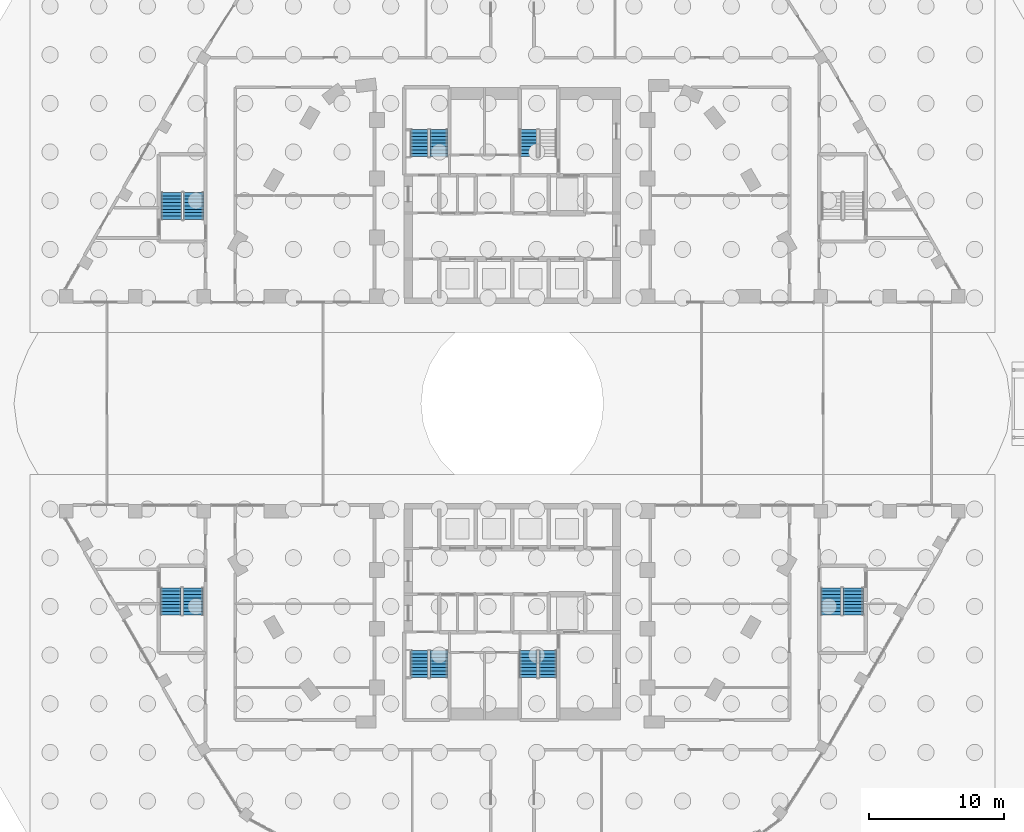
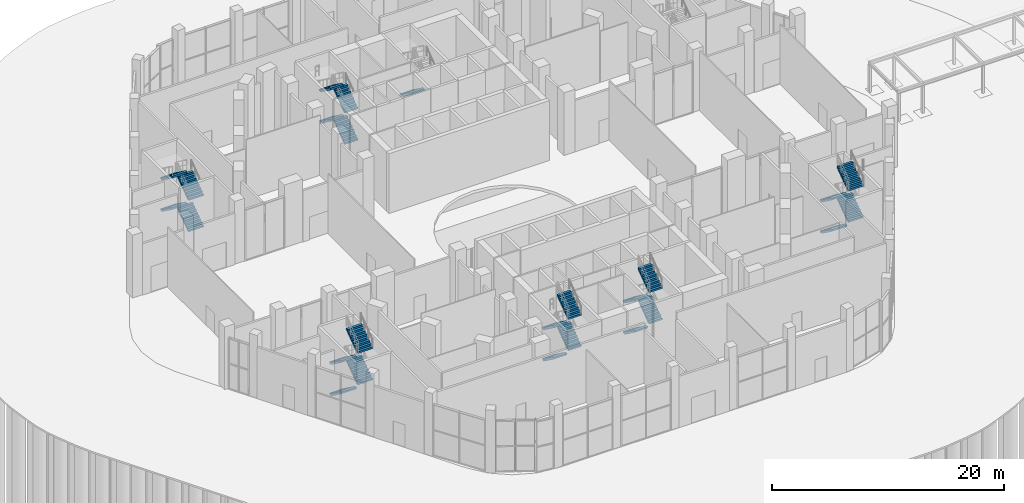
# One storey, part 36 of 44: 25 stair flights, 7 elements without a shape of their own.
"""IFC4 building model written with IfcOpenShell, lengths in metres."""

from ifc_helpers import new_model, si_unit, direction, frame, origin, place, context, subcontext, project, spatial, polyline, outline, extrude, material, type_object, element, aggregate, save


model = new_model("IFC4")

# Units and contexts
model_context = context("Model", 3, precision=1e-05, world=origin(), true_north=direction((0.0, 1.0)))
body_context = subcontext(model_context, "Body", "Model", "MODEL_VIEW")
ifc_project = project(units=[si_unit("LENGTHUNIT", "METRE"), si_unit("AREAUNIT", "SQUARE_METRE"), si_unit("VOLUMEUNIT", "CUBIC_METRE"), si_unit("PLANEANGLEUNIT", "RADIAN"), si_unit("MASSUNIT", "GRAM", prefix="KILO")], contexts=[model_context])

# Site, building, storey
site_placement = place(None, origin())
site = spatial("IfcSite", under=ifc_project, at=site_placement, CompositionType="ELEMENT")
building_placement = place(site_placement, origin())
building = spatial("IfcBuilding", under=site, at=building_placement, Name="Nakaniwa Court", CompositionType="ELEMENT")
storey_placement = place(building_placement, origin())
storey = spatial("IfcBuildingStorey", under=building, at=storey_placement, Name="L00", CompositionType="ELEMENT", Elevation=0.0)

# Stair, stair flights
ifc_material = material(Name="Concrete C80/100", Category="concrete")
stair_type_1 = type_object("IfcStairType", Name="Dog leg stair 1300 wide 36 risers", PredefinedType="HALF_TURN_STAIR", material=ifc_material)
stair_1_placement = place(storey_placement, origin())
stair_1 = element("IfcStair", 1, at=stair_1_placement, inside=storey, type_object=stair_type_1, Name="L00 Stair ST1", PredefinedType="HALF_TURN_STAIR")
stair_flight_type_1 = type_object("IfcStairFlightType", Name="Stair flight 1300 wide 9 risers", PredefinedType="STRAIGHT", material=ifc_material)
stair_flight_1_placement = place(storey_placement, frame((74.574951171875, 98.27490234375, 0.0), z_axis=(0.0, 0.0, 1.0), x_axis=(0.0, 1.0, 0.0)))
stair_flight_1 = element("IfcStairFlight", 2, at=stair_flight_1_placement, type_object=stair_flight_type_1, Name="ST1 flight 1", NumberOfRisers=9, NumberOfTreads=8, PredefinedType="STRAIGHT", RiserHeight=0.183333333, TreadLength=0.25, context=body_context, shape_type="SweptSolid", body=[
    extrude(outline(polyline([(0.0, 0.0), (0.0, 0.026123046875), (0.0, 0.052490234375), (0.0, 0.07861328125), (0.0, 0.104736328125), (0.0, 0.130859375), (0.0, 0.1572265625), (0.0, 0.183349609375), (0.25, 0.183349609375), (0.25, 0.36669921875), (0.5, 0.36669921875), (0.5, 0.550048828125), (0.75, 0.550048828125), (0.75, 0.7333984375), (1.0, 0.7333984375), (1.0, 0.916748046875), (1.25, 0.916748046875), (1.25, 1.10009765625), (1.5, 1.10009765625), (1.5, 1.283447265625), (1.75, 1.283447265625), (1.75, 1.466552734375), (2.0, 1.466552734375), (2.0, 1.64990234375), (2.0, 1.59716796875), (2.0, 1.54443359375), (2.0, 1.49169921875), (2.0, 1.43896484375), (2.0, 1.38623046875), (2.0, 1.33349609375), (2.0, 1.28076171875), (0.25341796875, 0.0), (0.0, 0.0)])), frame((0.0, 0.64990234375, 0.0), z_axis=(0.0, -1.0, 0.0), x_axis=(1.0, 0.0, 0.0)), (0.0, 0.0, 1.0), 1.300048828125),
])
stair_flight_2_placement = place(storey_placement, frame((73.125, 100.27490234375, 1.64990234375), z_axis=(0.0, 0.0, 1.0), x_axis=(0.0, -1.0, 0.0)))
stair_flight_2 = element("IfcStairFlight", 3, at=stair_flight_2_placement, type_object=stair_flight_type_1, Name="ST1 flight 2", NumberOfRisers=9, NumberOfTreads=8, PredefinedType="STRAIGHT", RiserHeight=0.183333333, TreadLength=0.25, context=body_context, shape_type="SweptSolid", body=[
    extrude(outline(polyline([(0.0, 0.0), (0.0, 0.026123046875), (0.0, 0.052490234375), (0.0, 0.07861328125), (0.0, 0.104736328125), (0.0, 0.130859375), (0.0, 0.1572265625), (0.0, 0.183349609375), (0.25, 0.183349609375), (0.25, 0.36669921875), (0.5, 0.36669921875), (0.5, 0.550048828125), (0.75, 0.550048828125), (0.75, 0.7333984375), (1.0, 0.7333984375), (1.0, 0.916748046875), (1.25, 0.916748046875), (1.25, 1.10009765625), (1.5, 1.10009765625), (1.5, 1.283447265625), (1.75, 1.283447265625), (1.75, 1.466552734375), (2.0, 1.466552734375), (2.0, 1.64990234375), (2.0, 1.59716796875), (2.0, 1.54443359375), (2.0, 1.49169921875), (2.0, 1.43896484375), (2.0, 1.38623046875), (2.0, 1.33349609375), (2.0, 1.28076171875), (0.25341796875, 0.0), (0.0, 0.0)])), frame((0.0, 0.64990234375, 0.0), z_axis=(0.0, -1.0, 0.0), x_axis=(1.0, 0.0, 0.0)), (0.0, 0.0, 1.0), 1.300048828125),
])
stair_flight_3_placement = place(storey_placement, frame((74.574951171875, 98.27490234375, 3.300048828125), z_axis=(0.0, 0.0, 1.0), x_axis=(0.0, 1.0, 0.0)))
stair_flight_3 = element("IfcStairFlight", 4, at=stair_flight_3_placement, type_object=stair_flight_type_1, Name="ST1 flight 3", NumberOfRisers=9, NumberOfTreads=8, PredefinedType="STRAIGHT", RiserHeight=0.183333333, TreadLength=0.25, context=body_context, shape_type="SweptSolid", body=[
    extrude(outline(polyline([(0.0, 0.0), (0.0, 0.026123046875), (0.0, 0.052490234375), (0.0, 0.07861328125), (0.0, 0.104736328125), (0.0, 0.130859375), (0.0, 0.1572265625), (0.0, 0.183349609375), (0.25, 0.183349609375), (0.25, 0.36669921875), (0.5, 0.36669921875), (0.5, 0.550048828125), (0.75, 0.550048828125), (0.75, 0.7333984375), (1.0, 0.7333984375), (1.0, 0.916748046875), (1.25, 0.916748046875), (1.25, 1.10009765625), (1.5, 1.10009765625), (1.5, 1.283447265625), (1.75, 1.283447265625), (1.75, 1.466552734375), (2.0, 1.466552734375), (2.0, 1.64990234375), (2.0, 1.59716796875), (2.0, 1.54443359375), (2.0, 1.49169921875), (2.0, 1.43896484375), (2.0, 1.38623046875), (2.0, 1.33349609375), (2.0, 1.28076171875), (0.25341796875, 0.0), (0.0, 0.0)])), frame((0.0, 0.64990234375, 0.0), z_axis=(0.0, -1.0, 0.0), x_axis=(1.0, 0.0, 0.0)), (0.0, 0.0, 1.0), 1.300048828125),
])
stair_flight_4_placement = place(storey_placement, frame((73.125, 100.27490234375, 4.949951171875), z_axis=(0.0, 0.0, 1.0), x_axis=(0.0, -1.0, 0.0)))
stair_flight_4 = element("IfcStairFlight", 5, at=stair_flight_4_placement, type_object=stair_flight_type_1, Name="ST1 flight 4", NumberOfRisers=9, NumberOfTreads=8, PredefinedType="STRAIGHT", RiserHeight=0.183333333, TreadLength=0.25, context=body_context, shape_type="SweptSolid", body=[
    extrude(outline(polyline([(0.0, 0.0), (0.0, 0.026123046875), (0.0, 0.052490234375), (0.0, 0.07861328125), (0.0, 0.104736328125), (0.0, 0.130859375), (0.0, 0.1572265625), (0.0, 0.183349609375), (0.25, 0.183349609375), (0.25, 0.36669921875), (0.5, 0.36669921875), (0.5, 0.550048828125), (0.75, 0.550048828125), (0.75, 0.7333984375), (1.0, 0.7333984375), (1.0, 0.916748046875), (1.25, 0.916748046875), (1.25, 1.10009765625), (1.5, 1.10009765625), (1.5, 1.283447265625), (1.75, 1.283447265625), (1.75, 1.466552734375), (2.0, 1.466552734375), (2.0, 1.64990234375), (2.0, 1.59716796875), (2.0, 1.54443359375), (2.0, 1.49169921875), (2.0, 1.43896484375), (2.0, 1.38623046875), (2.0, 1.33349609375), (2.0, 1.28076171875), (0.25341796875, 0.0), (0.0, 0.0)])), frame((0.0, 0.64990234375, 0.0), z_axis=(0.0, -1.0, 0.0), x_axis=(1.0, 0.0, 0.0)), (0.0, 0.0, 1.0), 1.300048828125),
])
aggregate(stair_1, [stair_flight_1, stair_flight_2, stair_flight_3, stair_flight_4])

# Stair, stair flight
stair_2_placement = place(storey_placement, origin())
stair_2 = element("IfcStair", 6, at=stair_2_placement, inside=storey, type_object=stair_type_1, Name="L00 Stair ST2", PredefinedType="HALF_TURN_STAIR")
stair_flight_5_placement = place(storey_placement, frame((81.175048828125, 100.27490234375, 1.64990234375), z_axis=(0.0, 0.0, 1.0), x_axis=(0.0, -1.0, 0.0)))
stair_flight_5 = element("IfcStairFlight", 7, at=stair_flight_5_placement, type_object=stair_flight_type_1, Name="ST2 flight 2", NumberOfRisers=9, NumberOfTreads=8, PredefinedType="STRAIGHT", RiserHeight=0.183333333, TreadLength=0.25, context=body_context, shape_type="SweptSolid", body=[
    extrude(outline(polyline([(0.0, 0.0), (0.0, 0.026123046875), (0.0, 0.052490234375), (0.0, 0.07861328125), (0.0, 0.104736328125), (0.0, 0.130859375), (0.0, 0.1572265625), (0.0, 0.183349609375), (0.25, 0.183349609375), (0.25, 0.36669921875), (0.5, 0.36669921875), (0.5, 0.550048828125), (0.75, 0.550048828125), (0.75, 0.7333984375), (1.0, 0.7333984375), (1.0, 0.916748046875), (1.25, 0.916748046875), (1.25, 1.10009765625), (1.5, 1.10009765625), (1.5, 1.283447265625), (1.75, 1.283447265625), (1.75, 1.466552734375), (2.0, 1.466552734375), (2.0, 1.64990234375), (2.0, 1.59716796875), (2.0, 1.54443359375), (2.0, 1.49169921875), (2.0, 1.43896484375), (2.0, 1.38623046875), (2.0, 1.33349609375), (2.0, 1.28076171875), (0.25341796875, 0.0), (0.0, 0.0)])), frame((0.0, 0.64990234375, 0.0), z_axis=(0.0, -1.0, 0.0), x_axis=(1.0, 0.0, 0.0)), (0.0, 0.0, 1.0), 1.300048828125),
])
aggregate(stair_2, [stair_flight_5])

# Stair, stair flights
stair_3_placement = place(storey_placement, origin())
stair_3 = element("IfcStair", 8, at=stair_3_placement, inside=storey, type_object=stair_type_1, Name="L00 Stair ST3", PredefinedType="HALF_TURN_STAIR")
stair_flight_6_placement = place(storey_placement, frame((73.125, 61.72509765625, 0.0), z_axis=(0.0, 0.0, 1.0), x_axis=(0.0, -1.0, 0.0)))
stair_flight_6 = element("IfcStairFlight", 9, at=stair_flight_6_placement, type_object=stair_flight_type_1, Name="ST3 flight 1", NumberOfRisers=9, NumberOfTreads=8, PredefinedType="STRAIGHT", RiserHeight=0.183333333, TreadLength=0.25, context=body_context, shape_type="SweptSolid", body=[
    extrude(outline(polyline([(0.0, 0.0), (0.0, 0.026123046875), (0.0, 0.052490234375), (0.0, 0.07861328125), (0.0, 0.104736328125), (0.0, 0.130859375), (0.0, 0.1572265625), (0.0, 0.183349609375), (0.25, 0.183349609375), (0.25, 0.36669921875), (0.5, 0.36669921875), (0.5, 0.550048828125), (0.75, 0.550048828125), (0.75, 0.7333984375), (1.0, 0.7333984375), (1.0, 0.916748046875), (1.25, 0.916748046875), (1.25, 1.10009765625), (1.5, 1.10009765625), (1.5, 1.283447265625), (1.75, 1.283447265625), (1.75, 1.466552734375), (2.0, 1.466552734375), (2.0, 1.64990234375), (2.0, 1.59716796875), (2.0, 1.54443359375), (2.0, 1.49169921875), (2.0, 1.43896484375), (2.0, 1.38623046875), (2.0, 1.33349609375), (2.0, 1.28076171875), (0.25341796875, 0.0), (0.0, 0.0)])), frame((0.0, 0.64990234375, 0.0), z_axis=(0.0, -1.0, 0.0), x_axis=(1.0, 0.0, 0.0)), (0.0, 0.0, 1.0), 1.300048828125),
])
stair_flight_7_placement = place(storey_placement, frame((74.574951171875, 59.72509765625, 1.64990234375), z_axis=(0.0, 0.0, 1.0), x_axis=(0.0, 1.0, 0.0)))
stair_flight_7 = element("IfcStairFlight", 10, at=stair_flight_7_placement, type_object=stair_flight_type_1, Name="ST3 flight 2", NumberOfRisers=9, NumberOfTreads=8, PredefinedType="STRAIGHT", RiserHeight=0.183333333, TreadLength=0.25, context=body_context, shape_type="SweptSolid", body=[
    extrude(outline(polyline([(0.0, 0.0), (0.0, 0.026123046875), (0.0, 0.052490234375), (0.0, 0.07861328125), (0.0, 0.104736328125), (0.0, 0.130859375), (0.0, 0.1572265625), (0.0, 0.183349609375), (0.25, 0.183349609375), (0.25, 0.36669921875), (0.5, 0.36669921875), (0.5, 0.550048828125), (0.75, 0.550048828125), (0.75, 0.7333984375), (1.0, 0.7333984375), (1.0, 0.916748046875), (1.25, 0.916748046875), (1.25, 1.10009765625), (1.5, 1.10009765625), (1.5, 1.283447265625), (1.75, 1.283447265625), (1.75, 1.466552734375), (2.0, 1.466552734375), (2.0, 1.64990234375), (2.0, 1.59716796875), (2.0, 1.54443359375), (2.0, 1.49169921875), (2.0, 1.43896484375), (2.0, 1.38623046875), (2.0, 1.33349609375), (2.0, 1.28076171875), (0.25341796875, 0.0), (0.0, 0.0)])), frame((0.0, 0.64990234375, 0.0), z_axis=(0.0, -1.0, 0.0), x_axis=(1.0, 0.0, 0.0)), (0.0, 0.0, 1.0), 1.300048828125),
])
stair_flight_8_placement = place(storey_placement, frame((73.125, 61.72509765625, 3.300048828125), z_axis=(0.0, 0.0, 1.0), x_axis=(0.0, -1.0, 0.0)))
stair_flight_8 = element("IfcStairFlight", 11, at=stair_flight_8_placement, type_object=stair_flight_type_1, Name="ST3 flight 3", NumberOfRisers=9, NumberOfTreads=8, PredefinedType="STRAIGHT", RiserHeight=0.183333333, TreadLength=0.25, context=body_context, shape_type="SweptSolid", body=[
    extrude(outline(polyline([(0.0, 0.0), (0.0, 0.026123046875), (0.0, 0.052490234375), (0.0, 0.07861328125), (0.0, 0.104736328125), (0.0, 0.130859375), (0.0, 0.1572265625), (0.0, 0.183349609375), (0.25, 0.183349609375), (0.25, 0.36669921875), (0.5, 0.36669921875), (0.5, 0.550048828125), (0.75, 0.550048828125), (0.75, 0.7333984375), (1.0, 0.7333984375), (1.0, 0.916748046875), (1.25, 0.916748046875), (1.25, 1.10009765625), (1.5, 1.10009765625), (1.5, 1.283447265625), (1.75, 1.283447265625), (1.75, 1.466552734375), (2.0, 1.466552734375), (2.0, 1.64990234375), (2.0, 1.59716796875), (2.0, 1.54443359375), (2.0, 1.49169921875), (2.0, 1.43896484375), (2.0, 1.38623046875), (2.0, 1.33349609375), (2.0, 1.28076171875), (0.25341796875, 0.0), (0.0, 0.0)])), frame((0.0, 0.64990234375, 0.0), z_axis=(0.0, -1.0, 0.0), x_axis=(1.0, 0.0, 0.0)), (0.0, 0.0, 1.0), 1.300048828125),
])
stair_flight_9_placement = place(storey_placement, frame((74.574951171875, 59.72509765625, 4.949951171875), z_axis=(0.0, 0.0, 1.0), x_axis=(0.0, 1.0, 0.0)))
stair_flight_9 = element("IfcStairFlight", 12, at=stair_flight_9_placement, type_object=stair_flight_type_1, Name="ST3 flight 4", NumberOfRisers=9, NumberOfTreads=8, PredefinedType="STRAIGHT", RiserHeight=0.183333333, TreadLength=0.25, context=body_context, shape_type="SweptSolid", body=[
    extrude(outline(polyline([(0.0, 0.0), (0.0, 0.026123046875), (0.0, 0.052490234375), (0.0, 0.07861328125), (0.0, 0.104736328125), (0.0, 0.130859375), (0.0, 0.1572265625), (0.0, 0.183349609375), (0.25, 0.183349609375), (0.25, 0.36669921875), (0.5, 0.36669921875), (0.5, 0.550048828125), (0.75, 0.550048828125), (0.75, 0.7333984375), (1.0, 0.7333984375), (1.0, 0.916748046875), (1.25, 0.916748046875), (1.25, 1.10009765625), (1.5, 1.10009765625), (1.5, 1.283447265625), (1.75, 1.283447265625), (1.75, 1.466552734375), (2.0, 1.466552734375), (2.0, 1.64990234375), (2.0, 1.59716796875), (2.0, 1.54443359375), (2.0, 1.49169921875), (2.0, 1.43896484375), (2.0, 1.38623046875), (2.0, 1.33349609375), (2.0, 1.28076171875), (0.25341796875, 0.0), (0.0, 0.0)])), frame((0.0, 0.64990234375, 0.0), z_axis=(0.0, -1.0, 0.0), x_axis=(1.0, 0.0, 0.0)), (0.0, 0.0, 1.0), 1.300048828125),
])
aggregate(stair_3, [stair_flight_6, stair_flight_7, stair_flight_8, stair_flight_9])

stair_4_placement = place(storey_placement, origin())
stair_4 = element("IfcStair", 13, at=stair_4_placement, inside=storey, type_object=stair_type_1, Name="L00 Stair ST4", PredefinedType="HALF_TURN_STAIR")
stair_flight_10_placement = place(storey_placement, frame((81.175048828125, 61.72509765625, 0.0), z_axis=(0.0, 0.0, 1.0), x_axis=(0.0, -1.0, 0.0)))
stair_flight_10 = element("IfcStairFlight", 14, at=stair_flight_10_placement, type_object=stair_flight_type_1, Name="ST4 flight 1", NumberOfRisers=9, NumberOfTreads=8, PredefinedType="STRAIGHT", RiserHeight=0.183333333, TreadLength=0.25, context=body_context, shape_type="SweptSolid", body=[
    extrude(outline(polyline([(0.0, 0.0), (0.0, 0.026123046875), (0.0, 0.052490234375), (0.0, 0.07861328125), (0.0, 0.104736328125), (0.0, 0.130859375), (0.0, 0.1572265625), (0.0, 0.183349609375), (0.25, 0.183349609375), (0.25, 0.36669921875), (0.5, 0.36669921875), (0.5, 0.550048828125), (0.75, 0.550048828125), (0.75, 0.7333984375), (1.0, 0.7333984375), (1.0, 0.916748046875), (1.25, 0.916748046875), (1.25, 1.10009765625), (1.5, 1.10009765625), (1.5, 1.283447265625), (1.75, 1.283447265625), (1.75, 1.466552734375), (2.0, 1.466552734375), (2.0, 1.64990234375), (2.0, 1.59716796875), (2.0, 1.54443359375), (2.0, 1.49169921875), (2.0, 1.43896484375), (2.0, 1.38623046875), (2.0, 1.33349609375), (2.0, 1.28076171875), (0.25341796875, 0.0), (0.0, 0.0)])), frame((0.0, 0.64990234375, 0.0), z_axis=(0.0, -1.0, 0.0), x_axis=(1.0, 0.0, 0.0)), (0.0, 0.0, 1.0), 1.300048828125),
])
stair_flight_11_placement = place(storey_placement, frame((82.625, 59.72509765625, 1.64990234375), z_axis=(0.0, 0.0, 1.0), x_axis=(0.0, 1.0, 0.0)))
stair_flight_11 = element("IfcStairFlight", 15, at=stair_flight_11_placement, type_object=stair_flight_type_1, Name="ST4 flight 2", NumberOfRisers=9, NumberOfTreads=8, PredefinedType="STRAIGHT", RiserHeight=0.183333333, TreadLength=0.25, context=body_context, shape_type="SweptSolid", body=[
    extrude(outline(polyline([(0.0, 0.0), (0.0, 0.026123046875), (0.0, 0.052490234375), (0.0, 0.07861328125), (0.0, 0.104736328125), (0.0, 0.130859375), (0.0, 0.1572265625), (0.0, 0.183349609375), (0.25, 0.183349609375), (0.25, 0.36669921875), (0.5, 0.36669921875), (0.5, 0.550048828125), (0.75, 0.550048828125), (0.75, 0.7333984375), (1.0, 0.7333984375), (1.0, 0.916748046875), (1.25, 0.916748046875), (1.25, 1.10009765625), (1.5, 1.10009765625), (1.5, 1.283447265625), (1.75, 1.283447265625), (1.75, 1.466552734375), (2.0, 1.466552734375), (2.0, 1.64990234375), (2.0, 1.59716796875), (2.0, 1.54443359375), (2.0, 1.49169921875), (2.0, 1.43896484375), (2.0, 1.38623046875), (2.0, 1.33349609375), (2.0, 1.28076171875), (0.25341796875, 0.0), (0.0, 0.0)])), frame((0.0, 0.64990234375, 0.0), z_axis=(0.0, -1.0, 0.0), x_axis=(1.0, 0.0, 0.0)), (0.0, 0.0, 1.0), 1.300048828125),
])
stair_flight_12_placement = place(storey_placement, frame((81.175048828125, 61.72509765625, 3.300048828125), z_axis=(0.0, 0.0, 1.0), x_axis=(0.0, -1.0, 0.0)))
stair_flight_12 = element("IfcStairFlight", 16, at=stair_flight_12_placement, type_object=stair_flight_type_1, Name="ST4 flight 3", NumberOfRisers=9, NumberOfTreads=8, PredefinedType="STRAIGHT", RiserHeight=0.183333333, TreadLength=0.25, context=body_context, shape_type="SweptSolid", body=[
    extrude(outline(polyline([(0.0, 0.0), (0.0, 0.026123046875), (0.0, 0.052490234375), (0.0, 0.07861328125), (0.0, 0.104736328125), (0.0, 0.130859375), (0.0, 0.1572265625), (0.0, 0.183349609375), (0.25, 0.183349609375), (0.25, 0.36669921875), (0.5, 0.36669921875), (0.5, 0.550048828125), (0.75, 0.550048828125), (0.75, 0.7333984375), (1.0, 0.7333984375), (1.0, 0.916748046875), (1.25, 0.916748046875), (1.25, 1.10009765625), (1.5, 1.10009765625), (1.5, 1.283447265625), (1.75, 1.283447265625), (1.75, 1.466552734375), (2.0, 1.466552734375), (2.0, 1.64990234375), (2.0, 1.59716796875), (2.0, 1.54443359375), (2.0, 1.49169921875), (2.0, 1.43896484375), (2.0, 1.38623046875), (2.0, 1.33349609375), (2.0, 1.28076171875), (0.25341796875, 0.0), (0.0, 0.0)])), frame((0.0, 0.64990234375, 0.0), z_axis=(0.0, -1.0, 0.0), x_axis=(1.0, 0.0, 0.0)), (0.0, 0.0, 1.0), 1.300048828125),
])
stair_flight_13_placement = place(storey_placement, frame((82.625, 59.72509765625, 4.949951171875), z_axis=(0.0, 0.0, 1.0), x_axis=(0.0, 1.0, 0.0)))
stair_flight_13 = element("IfcStairFlight", 17, at=stair_flight_13_placement, type_object=stair_flight_type_1, Name="ST4 flight 4", NumberOfRisers=9, NumberOfTreads=8, PredefinedType="STRAIGHT", RiserHeight=0.183333333, TreadLength=0.25, context=body_context, shape_type="SweptSolid", body=[
    extrude(outline(polyline([(0.0, 0.0), (0.0, 0.026123046875), (0.0, 0.052490234375), (0.0, 0.07861328125), (0.0, 0.104736328125), (0.0, 0.130859375), (0.0, 0.1572265625), (0.0, 0.183349609375), (0.25, 0.183349609375), (0.25, 0.36669921875), (0.5, 0.36669921875), (0.5, 0.550048828125), (0.75, 0.550048828125), (0.75, 0.7333984375), (1.0, 0.7333984375), (1.0, 0.916748046875), (1.25, 0.916748046875), (1.25, 1.10009765625), (1.5, 1.10009765625), (1.5, 1.283447265625), (1.75, 1.283447265625), (1.75, 1.466552734375), (2.0, 1.466552734375), (2.0, 1.64990234375), (2.0, 1.59716796875), (2.0, 1.54443359375), (2.0, 1.49169921875), (2.0, 1.43896484375), (2.0, 1.38623046875), (2.0, 1.33349609375), (2.0, 1.28076171875), (0.25341796875, 0.0), (0.0, 0.0)])), frame((0.0, 0.64990234375, 0.0), z_axis=(0.0, -1.0, 0.0), x_axis=(1.0, 0.0, 0.0)), (0.0, 0.0, 1.0), 1.300048828125),
])
aggregate(stair_4, [stair_flight_10, stair_flight_11, stair_flight_12, stair_flight_13])

stair_type_2 = type_object("IfcStairType", Name="Dog leg stair 1500 wide 36 risers", PredefinedType="HALF_TURN_STAIR", material=ifc_material)
stair_5_placement = place(storey_placement, origin())
stair_5 = element("IfcStair", 18, at=stair_5_placement, inside=storey, type_object=stair_type_2, Name="L00 Stair SS2", PredefinedType="HALF_TURN_STAIR")
stair_flight_type_2 = type_object("IfcStairFlightType", Name="Stair flight 1500 wide 9 risers", PredefinedType="STRAIGHT", material=ifc_material)
stair_flight_14_placement = place(storey_placement, frame((56.425048828125, 93.625, 0.0), z_axis=(0.0, 0.0, 1.0), x_axis=(0.0, 1.0, 0.0)))
stair_flight_14 = element("IfcStairFlight", 19, at=stair_flight_14_placement, type_object=stair_flight_type_2, Name="SS2 flight 1", NumberOfRisers=9, NumberOfTreads=8, PredefinedType="STRAIGHT", RiserHeight=0.183333333, TreadLength=0.25, context=body_context, shape_type="SweptSolid", body=[
    extrude(outline(polyline([(0.0, 0.0), (0.0, 0.026123046875), (0.0, 0.052490234375), (0.0, 0.07861328125), (0.0, 0.104736328125), (0.0, 0.130859375), (0.0, 0.1572265625), (0.0, 0.183349609375), (0.25, 0.183349609375), (0.25, 0.36669921875), (0.5, 0.36669921875), (0.5, 0.550048828125), (0.75, 0.550048828125), (0.75, 0.7333984375), (1.0, 0.7333984375), (1.0, 0.916748046875), (1.25, 0.916748046875), (1.25, 1.10009765625), (1.5, 1.10009765625), (1.5, 1.283447265625), (1.75, 1.283447265625), (1.75, 1.466552734375), (2.0, 1.466552734375), (2.0, 1.64990234375), (2.0, 1.59716796875), (2.0, 1.54443359375), (2.0, 1.49169921875), (2.0, 1.43896484375), (2.0, 1.38623046875), (2.0, 1.33349609375), (2.0, 1.28076171875), (0.25341796875, 0.0), (0.0, 0.0)])), frame((0.0, 0.75, 0.0), z_axis=(0.0, -1.0, 0.0), x_axis=(1.0, 0.0, 0.0)), (0.0, 0.0, 1.0), 1.5),
])
stair_flight_15_placement = place(storey_placement, frame((54.77490234375, 95.625, 1.64990234375), z_axis=(0.0, 0.0, 1.0), x_axis=(0.0, -1.0, 0.0)))
stair_flight_15 = element("IfcStairFlight", 20, at=stair_flight_15_placement, type_object=stair_flight_type_2, Name="SS2 flight 2", NumberOfRisers=9, NumberOfTreads=8, PredefinedType="STRAIGHT", RiserHeight=0.183333333, TreadLength=0.25, context=body_context, shape_type="SweptSolid", body=[
    extrude(outline(polyline([(0.0, 0.0), (0.0, 0.026123046875), (0.0, 0.052490234375), (0.0, 0.07861328125), (0.0, 0.104736328125), (0.0, 0.130859375), (0.0, 0.1572265625), (0.0, 0.183349609375), (0.25, 0.183349609375), (0.25, 0.36669921875), (0.5, 0.36669921875), (0.5, 0.550048828125), (0.75, 0.550048828125), (0.75, 0.7333984375), (1.0, 0.7333984375), (1.0, 0.916748046875), (1.25, 0.916748046875), (1.25, 1.10009765625), (1.5, 1.10009765625), (1.5, 1.283447265625), (1.75, 1.283447265625), (1.75, 1.466552734375), (2.0, 1.466552734375), (2.0, 1.64990234375), (2.0, 1.59716796875), (2.0, 1.54443359375), (2.0, 1.49169921875), (2.0, 1.43896484375), (2.0, 1.38623046875), (2.0, 1.33349609375), (2.0, 1.28076171875), (0.25341796875, 0.0), (0.0, 0.0)])), frame((0.0, 0.75, 0.0), z_axis=(0.0, -1.0, 0.0), x_axis=(1.0, 0.0, 0.0)), (0.0, 0.0, 1.0), 1.5),
])
stair_flight_16_placement = place(storey_placement, frame((56.425048828125, 93.625, 3.300048828125), z_axis=(0.0, 0.0, 1.0), x_axis=(0.0, 1.0, 0.0)))
stair_flight_16 = element("IfcStairFlight", 21, at=stair_flight_16_placement, type_object=stair_flight_type_2, Name="SS2 flight 3", NumberOfRisers=9, NumberOfTreads=8, PredefinedType="STRAIGHT", RiserHeight=0.183333333, TreadLength=0.25, context=body_context, shape_type="SweptSolid", body=[
    extrude(outline(polyline([(0.0, 0.0), (0.0, 0.026123046875), (0.0, 0.052490234375), (0.0, 0.07861328125), (0.0, 0.104736328125), (0.0, 0.130859375), (0.0, 0.1572265625), (0.0, 0.183349609375), (0.25, 0.183349609375), (0.25, 0.36669921875), (0.5, 0.36669921875), (0.5, 0.550048828125), (0.75, 0.550048828125), (0.75, 0.7333984375), (1.0, 0.7333984375), (1.0, 0.916748046875), (1.25, 0.916748046875), (1.25, 1.10009765625), (1.5, 1.10009765625), (1.5, 1.283447265625), (1.75, 1.283447265625), (1.75, 1.466552734375), (2.0, 1.466552734375), (2.0, 1.64990234375), (2.0, 1.59716796875), (2.0, 1.54443359375), (2.0, 1.49169921875), (2.0, 1.43896484375), (2.0, 1.38623046875), (2.0, 1.33349609375), (2.0, 1.28076171875), (0.25341796875, 0.0), (0.0, 0.0)])), frame((0.0, 0.75, 0.0), z_axis=(0.0, -1.0, 0.0), x_axis=(1.0, 0.0, 0.0)), (0.0, 0.0, 1.0), 1.5),
])
stair_flight_17_placement = place(storey_placement, frame((54.77490234375, 95.625, 4.949951171875), z_axis=(0.0, 0.0, 1.0), x_axis=(0.0, -1.0, 0.0)))
stair_flight_17 = element("IfcStairFlight", 22, at=stair_flight_17_placement, type_object=stair_flight_type_2, Name="SS2 flight 4", NumberOfRisers=9, NumberOfTreads=8, PredefinedType="STRAIGHT", RiserHeight=0.183333333, TreadLength=0.25, context=body_context, shape_type="SweptSolid", body=[
    extrude(outline(polyline([(0.0, 0.0), (0.0, 0.026123046875), (0.0, 0.052490234375), (0.0, 0.07861328125), (0.0, 0.104736328125), (0.0, 0.130859375), (0.0, 0.1572265625), (0.0, 0.183349609375), (0.25, 0.183349609375), (0.25, 0.36669921875), (0.5, 0.36669921875), (0.5, 0.550048828125), (0.75, 0.550048828125), (0.75, 0.7333984375), (1.0, 0.7333984375), (1.0, 0.916748046875), (1.25, 0.916748046875), (1.25, 1.10009765625), (1.5, 1.10009765625), (1.5, 1.283447265625), (1.75, 1.283447265625), (1.75, 1.466552734375), (2.0, 1.466552734375), (2.0, 1.64990234375), (2.0, 1.59716796875), (2.0, 1.54443359375), (2.0, 1.49169921875), (2.0, 1.43896484375), (2.0, 1.38623046875), (2.0, 1.33349609375), (2.0, 1.28076171875), (0.25341796875, 0.0), (0.0, 0.0)])), frame((0.0, 0.75, 0.0), z_axis=(0.0, -1.0, 0.0), x_axis=(1.0, 0.0, 0.0)), (0.0, 0.0, 1.0), 1.5),
])
aggregate(stair_5, [stair_flight_14, stair_flight_15, stair_flight_16, stair_flight_17])

stair_6_placement = place(storey_placement, origin())
stair_6 = element("IfcStair", 23, at=stair_6_placement, inside=storey, type_object=stair_type_2, Name="L00 Stair SS3", PredefinedType="HALF_TURN_STAIR")
stair_flight_18_placement = place(storey_placement, frame((103.574951171875, 66.375, 0.0), z_axis=(0.0, 0.0, 1.0), x_axis=(0.0, -1.0, 0.0)))
stair_flight_18 = element("IfcStairFlight", 24, at=stair_flight_18_placement, type_object=stair_flight_type_2, Name="SS3 flight 1", NumberOfRisers=9, NumberOfTreads=8, PredefinedType="STRAIGHT", RiserHeight=0.183333333, TreadLength=0.25, context=body_context, shape_type="SweptSolid", body=[
    extrude(outline(polyline([(0.0, 0.0), (0.0, 0.026123046875), (0.0, 0.052490234375), (0.0, 0.07861328125), (0.0, 0.104736328125), (0.0, 0.130859375), (0.0, 0.1572265625), (0.0, 0.183349609375), (0.25, 0.183349609375), (0.25, 0.36669921875), (0.5, 0.36669921875), (0.5, 0.550048828125), (0.75, 0.550048828125), (0.75, 0.7333984375), (1.0, 0.7333984375), (1.0, 0.916748046875), (1.25, 0.916748046875), (1.25, 1.10009765625), (1.5, 1.10009765625), (1.5, 1.283447265625), (1.75, 1.283447265625), (1.75, 1.466552734375), (2.0, 1.466552734375), (2.0, 1.64990234375), (2.0, 1.59716796875), (2.0, 1.54443359375), (2.0, 1.49169921875), (2.0, 1.43896484375), (2.0, 1.38623046875), (2.0, 1.33349609375), (2.0, 1.28076171875), (0.25341796875, 0.0), (0.0, 0.0)])), frame((0.0, 0.75, 0.0), z_axis=(0.0, -1.0, 0.0), x_axis=(1.0, 0.0, 0.0)), (0.0, 0.0, 1.0), 1.5),
])
stair_flight_19_placement = place(storey_placement, frame((105.22509765625, 64.375, 1.64990234375), z_axis=(0.0, 0.0, 1.0), x_axis=(0.0, 1.0, 0.0)))
stair_flight_19 = element("IfcStairFlight", 25, at=stair_flight_19_placement, type_object=stair_flight_type_2, Name="SS3 flight 2", NumberOfRisers=9, NumberOfTreads=8, PredefinedType="STRAIGHT", RiserHeight=0.183333333, TreadLength=0.25, context=body_context, shape_type="SweptSolid", body=[
    extrude(outline(polyline([(0.0, 0.0), (0.0, 0.026123046875), (0.0, 0.052490234375), (0.0, 0.07861328125), (0.0, 0.104736328125), (0.0, 0.130859375), (0.0, 0.1572265625), (0.0, 0.183349609375), (0.25, 0.183349609375), (0.25, 0.36669921875), (0.5, 0.36669921875), (0.5, 0.550048828125), (0.75, 0.550048828125), (0.75, 0.7333984375), (1.0, 0.7333984375), (1.0, 0.916748046875), (1.25, 0.916748046875), (1.25, 1.10009765625), (1.5, 1.10009765625), (1.5, 1.283447265625), (1.75, 1.283447265625), (1.75, 1.466552734375), (2.0, 1.466552734375), (2.0, 1.64990234375), (2.0, 1.59716796875), (2.0, 1.54443359375), (2.0, 1.49169921875), (2.0, 1.43896484375), (2.0, 1.38623046875), (2.0, 1.33349609375), (2.0, 1.28076171875), (0.25341796875, 0.0), (0.0, 0.0)])), frame((0.0, 0.75, 0.0), z_axis=(0.0, -1.0, 0.0), x_axis=(1.0, 0.0, 0.0)), (0.0, 0.0, 1.0), 1.5),
])
stair_flight_20_placement = place(storey_placement, frame((103.574951171875, 66.375, 3.300048828125), z_axis=(0.0, 0.0, 1.0), x_axis=(0.0, -1.0, 0.0)))
stair_flight_20 = element("IfcStairFlight", 26, at=stair_flight_20_placement, type_object=stair_flight_type_2, Name="SS3 flight 3", NumberOfRisers=9, NumberOfTreads=8, PredefinedType="STRAIGHT", RiserHeight=0.183333333, TreadLength=0.25, context=body_context, shape_type="SweptSolid", body=[
    extrude(outline(polyline([(0.0, 0.0), (0.0, 0.026123046875), (0.0, 0.052490234375), (0.0, 0.07861328125), (0.0, 0.104736328125), (0.0, 0.130859375), (0.0, 0.1572265625), (0.0, 0.183349609375), (0.25, 0.183349609375), (0.25, 0.36669921875), (0.5, 0.36669921875), (0.5, 0.550048828125), (0.75, 0.550048828125), (0.75, 0.7333984375), (1.0, 0.7333984375), (1.0, 0.916748046875), (1.25, 0.916748046875), (1.25, 1.10009765625), (1.5, 1.10009765625), (1.5, 1.283447265625), (1.75, 1.283447265625), (1.75, 1.466552734375), (2.0, 1.466552734375), (2.0, 1.64990234375), (2.0, 1.59716796875), (2.0, 1.54443359375), (2.0, 1.49169921875), (2.0, 1.43896484375), (2.0, 1.38623046875), (2.0, 1.33349609375), (2.0, 1.28076171875), (0.25341796875, 0.0), (0.0, 0.0)])), frame((0.0, 0.75, 0.0), z_axis=(0.0, -1.0, 0.0), x_axis=(1.0, 0.0, 0.0)), (0.0, 0.0, 1.0), 1.5),
])
stair_flight_21_placement = place(storey_placement, frame((105.22509765625, 64.375, 4.949951171875), z_axis=(0.0, 0.0, 1.0), x_axis=(0.0, 1.0, 0.0)))
stair_flight_21 = element("IfcStairFlight", 27, at=stair_flight_21_placement, type_object=stair_flight_type_2, Name="SS3 flight 4", NumberOfRisers=9, NumberOfTreads=8, PredefinedType="STRAIGHT", RiserHeight=0.183333333, TreadLength=0.25, context=body_context, shape_type="SweptSolid", body=[
    extrude(outline(polyline([(0.0, 0.0), (0.0, 0.026123046875), (0.0, 0.052490234375), (0.0, 0.07861328125), (0.0, 0.104736328125), (0.0, 0.130859375), (0.0, 0.1572265625), (0.0, 0.183349609375), (0.25, 0.183349609375), (0.25, 0.36669921875), (0.5, 0.36669921875), (0.5, 0.550048828125), (0.75, 0.550048828125), (0.75, 0.7333984375), (1.0, 0.7333984375), (1.0, 0.916748046875), (1.25, 0.916748046875), (1.25, 1.10009765625), (1.5, 1.10009765625), (1.5, 1.283447265625), (1.75, 1.283447265625), (1.75, 1.466552734375), (2.0, 1.466552734375), (2.0, 1.64990234375), (2.0, 1.59716796875), (2.0, 1.54443359375), (2.0, 1.49169921875), (2.0, 1.43896484375), (2.0, 1.38623046875), (2.0, 1.33349609375), (2.0, 1.28076171875), (0.25341796875, 0.0), (0.0, 0.0)])), frame((0.0, 0.75, 0.0), z_axis=(0.0, -1.0, 0.0), x_axis=(1.0, 0.0, 0.0)), (0.0, 0.0, 1.0), 1.5),
])
aggregate(stair_6, [stair_flight_18, stair_flight_19, stair_flight_20, stair_flight_21])

stair_7_placement = place(storey_placement, origin())
stair_7 = element("IfcStair", 28, at=stair_7_placement, inside=storey, type_object=stair_type_2, Name="L00 Stair SS4", PredefinedType="HALF_TURN_STAIR")
stair_flight_22_placement = place(storey_placement, frame((54.72509765625, 66.375, 0.0), z_axis=(0.0, 0.0, 1.0), x_axis=(0.0, -1.0, 0.0)))
stair_flight_22 = element("IfcStairFlight", 29, at=stair_flight_22_placement, type_object=stair_flight_type_2, Name="SS4 flight 1", NumberOfRisers=9, NumberOfTreads=8, PredefinedType="STRAIGHT", RiserHeight=0.183333333, TreadLength=0.25, context=body_context, shape_type="SweptSolid", body=[
    extrude(outline(polyline([(0.0, 0.0), (0.0, 0.026123046875), (0.0, 0.052490234375), (0.0, 0.07861328125), (0.0, 0.104736328125), (0.0, 0.130859375), (0.0, 0.1572265625), (0.0, 0.183349609375), (0.25, 0.183349609375), (0.25, 0.36669921875), (0.5, 0.36669921875), (0.5, 0.550048828125), (0.75, 0.550048828125), (0.75, 0.7333984375), (1.0, 0.7333984375), (1.0, 0.916748046875), (1.25, 0.916748046875), (1.25, 1.10009765625), (1.5, 1.10009765625), (1.5, 1.283447265625), (1.75, 1.283447265625), (1.75, 1.466552734375), (2.0, 1.466552734375), (2.0, 1.64990234375), (2.0, 1.59716796875), (2.0, 1.54443359375), (2.0, 1.49169921875), (2.0, 1.43896484375), (2.0, 1.38623046875), (2.0, 1.33349609375), (2.0, 1.28076171875), (0.25341796875, 0.0), (0.0, 0.0)])), frame((0.0, 0.75, 0.0), z_axis=(0.0, -1.0, 0.0), x_axis=(1.0, 0.0, 0.0)), (0.0, 0.0, 1.0), 1.5),
])
stair_flight_23_placement = place(storey_placement, frame((56.375, 64.375, 1.64990234375), z_axis=(0.0, 0.0, 1.0), x_axis=(0.0, 1.0, 0.0)))
stair_flight_23 = element("IfcStairFlight", 30, at=stair_flight_23_placement, type_object=stair_flight_type_2, Name="SS4 flight 2", NumberOfRisers=9, NumberOfTreads=8, PredefinedType="STRAIGHT", RiserHeight=0.183333333, TreadLength=0.25, context=body_context, shape_type="SweptSolid", body=[
    extrude(outline(polyline([(0.0, 0.0), (0.0, 0.026123046875), (0.0, 0.052490234375), (0.0, 0.07861328125), (0.0, 0.104736328125), (0.0, 0.130859375), (0.0, 0.1572265625), (0.0, 0.183349609375), (0.25, 0.183349609375), (0.25, 0.36669921875), (0.5, 0.36669921875), (0.5, 0.550048828125), (0.75, 0.550048828125), (0.75, 0.7333984375), (1.0, 0.7333984375), (1.0, 0.916748046875), (1.25, 0.916748046875), (1.25, 1.10009765625), (1.5, 1.10009765625), (1.5, 1.283447265625), (1.75, 1.283447265625), (1.75, 1.466552734375), (2.0, 1.466552734375), (2.0, 1.64990234375), (2.0, 1.59716796875), (2.0, 1.54443359375), (2.0, 1.49169921875), (2.0, 1.43896484375), (2.0, 1.38623046875), (2.0, 1.33349609375), (2.0, 1.28076171875), (0.25341796875, 0.0), (0.0, 0.0)])), frame((0.0, 0.75, 0.0), z_axis=(0.0, -1.0, 0.0), x_axis=(1.0, 0.0, 0.0)), (0.0, 0.0, 1.0), 1.5),
])
stair_flight_24_placement = place(storey_placement, frame((54.72509765625, 66.375, 3.300048828125), z_axis=(0.0, 0.0, 1.0), x_axis=(0.0, -1.0, 0.0)))
stair_flight_24 = element("IfcStairFlight", 31, at=stair_flight_24_placement, type_object=stair_flight_type_2, Name="SS4 flight 3", NumberOfRisers=9, NumberOfTreads=8, PredefinedType="STRAIGHT", RiserHeight=0.183333333, TreadLength=0.25, context=body_context, shape_type="SweptSolid", body=[
    extrude(outline(polyline([(0.0, 0.0), (0.0, 0.026123046875), (0.0, 0.052490234375), (0.0, 0.07861328125), (0.0, 0.104736328125), (0.0, 0.130859375), (0.0, 0.1572265625), (0.0, 0.183349609375), (0.25, 0.183349609375), (0.25, 0.36669921875), (0.5, 0.36669921875), (0.5, 0.550048828125), (0.75, 0.550048828125), (0.75, 0.7333984375), (1.0, 0.7333984375), (1.0, 0.916748046875), (1.25, 0.916748046875), (1.25, 1.10009765625), (1.5, 1.10009765625), (1.5, 1.283447265625), (1.75, 1.283447265625), (1.75, 1.466552734375), (2.0, 1.466552734375), (2.0, 1.64990234375), (2.0, 1.59716796875), (2.0, 1.54443359375), (2.0, 1.49169921875), (2.0, 1.43896484375), (2.0, 1.38623046875), (2.0, 1.33349609375), (2.0, 1.28076171875), (0.25341796875, 0.0), (0.0, 0.0)])), frame((0.0, 0.75, 0.0), z_axis=(0.0, -1.0, 0.0), x_axis=(1.0, 0.0, 0.0)), (0.0, 0.0, 1.0), 1.5),
])
stair_flight_25_placement = place(storey_placement, frame((56.375, 64.375, 4.949951171875), z_axis=(0.0, 0.0, 1.0), x_axis=(0.0, 1.0, 0.0)))
stair_flight_25 = element("IfcStairFlight", 32, at=stair_flight_25_placement, type_object=stair_flight_type_2, Name="SS4 flight 4", NumberOfRisers=9, NumberOfTreads=8, PredefinedType="STRAIGHT", RiserHeight=0.183333333, TreadLength=0.25, context=body_context, shape_type="SweptSolid", body=[
    extrude(outline(polyline([(0.0, 0.0), (0.0, 0.026123046875), (0.0, 0.052490234375), (0.0, 0.07861328125), (0.0, 0.104736328125), (0.0, 0.130859375), (0.0, 0.1572265625), (0.0, 0.183349609375), (0.25, 0.183349609375), (0.25, 0.36669921875), (0.5, 0.36669921875), (0.5, 0.550048828125), (0.75, 0.550048828125), (0.75, 0.7333984375), (1.0, 0.7333984375), (1.0, 0.916748046875), (1.25, 0.916748046875), (1.25, 1.10009765625), (1.5, 1.10009765625), (1.5, 1.283447265625), (1.75, 1.283447265625), (1.75, 1.466552734375), (2.0, 1.466552734375), (2.0, 1.64990234375), (2.0, 1.59716796875), (2.0, 1.54443359375), (2.0, 1.49169921875), (2.0, 1.43896484375), (2.0, 1.38623046875), (2.0, 1.33349609375), (2.0, 1.28076171875), (0.25341796875, 0.0), (0.0, 0.0)])), frame((0.0, 0.75, 0.0), z_axis=(0.0, -1.0, 0.0), x_axis=(1.0, 0.0, 0.0)), (0.0, 0.0, 1.0), 1.5),
])
aggregate(stair_7, [stair_flight_22, stair_flight_23, stair_flight_24, stair_flight_25])

save(model, "model.ifc")
